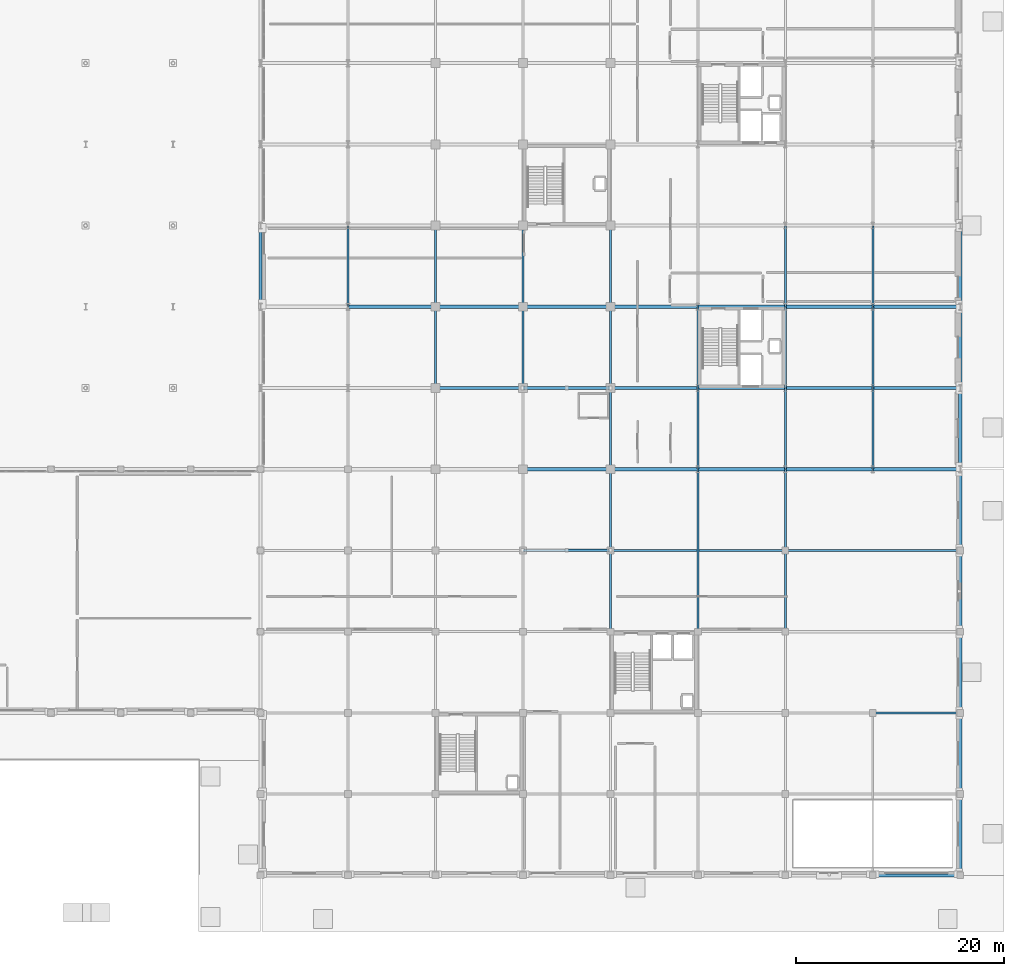
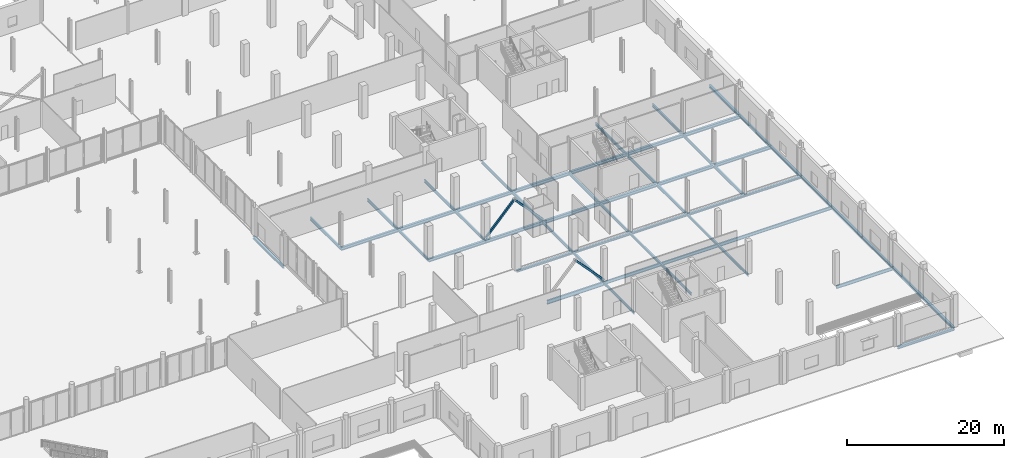
# One storey, part 37 of 80: 53 beams, 3 members.
"""IFC4 building model written with IfcOpenShell, lengths in metres."""

from ifc_helpers import new_model, si_unit, direction, frame, origin, origin_2d, place, context, subcontext, project, spatial, hollow_rectangle, i_section, extrude, material, material_profile, profile_set, type_object, element, save


model = new_model("IFC4")

# Units and contexts
model_context = context("Model", 3, precision=1e-05, world=origin(), true_north=direction((0.0, 1.0)))
body_context = subcontext(model_context, "Body", "Model", "MODEL_VIEW")
ifc_project = project(units=[si_unit("LENGTHUNIT", "METRE"), si_unit("AREAUNIT", "SQUARE_METRE"), si_unit("VOLUMEUNIT", "CUBIC_METRE"), si_unit("PLANEANGLEUNIT", "RADIAN"), si_unit("MASSUNIT", "GRAM", prefix="KILO")], contexts=[model_context])

# Site, building, storey
site_placement = place(None, origin())
site = spatial("IfcSite", under=ifc_project, at=site_placement, CompositionType="ELEMENT")
building_placement = place(site_placement, origin())
building = spatial("IfcBuilding", under=site, at=building_placement, Name="Nabrawat Pavilion Hospital", CompositionType="ELEMENT")
storey_placement = place(building_placement, origin())
storey = spatial("IfcBuildingStorey", under=building, at=storey_placement, Name="L00", CompositionType="ELEMENT", Elevation=0.0)

# Members
ifc_material = material(Name="Steel S355", Category="steel")
ifc_material_profile_1 = material_profile(ifc_material, hollow_rectangle(XDim=0.25, YDim=0.25, WallThickness=0.012451171875, at=origin_2d()), Name="SHS 250x250x12.5")
ifc_profile_set_1 = profile_set([ifc_material_profile_1], Name="Steel S355")
member_type = type_object("IfcMemberType", Name="Lower Seismic Chevron Brace SHS 250x250x12.5", PredefinedType="BRACE", material=ifc_profile_set_1)
for number, where, z_axis, x_axis, name in (
    (1, (159.60009765625, 31.199951171875, 0.050048828125), (-0.682335207557, 0.0, 0.731039441158), (0.0, -1.0, 0.0), "L00 Seismic Concentric Chevron Brace 038"),
    (2, (151.199951171875, 46.800048828125, 0.050048828125), (0.682314010889, 0.0, 0.73105922506), (0.0, 1.0, 0.0), "L00 Seismic Concentric Chevron Brace 049"),
    (3, (159.60009765625, 46.800048828125, 0.050048828125), (-0.682335207557, 0.0, 0.731039441158), (0.0, -1.0, 0.0), "L00 Seismic Concentric Chevron Brace 050"),
):
    element("IfcMember", number, at=place(storey_placement, frame(where, z_axis=z_axis, x_axis=x_axis)), inside=storey, type_object=member_type, Name=name, PredefinedType="BRACE", context=body_context, shape_type="SweptSolid", body=[
        extrude(hollow_rectangle(XDim=0.25, YDim=0.25, WallThickness=0.012451171875, at=origin_2d()), origin(), (0.0, 0.0, 1.0), 6.155517578125),
    ])

# Beams
ifc_material_profile_2 = material_profile(ifc_material, i_section(OverallWidth=0.300048828125, OverallDepth=0.389892578125, WebThickness=0.010986328125, FlangeThickness=0.01904296875, FilletRadius=0.027099609375, at=origin_2d()), Name="HEA 400")
ifc_profile_set_2 = profile_set([ifc_material_profile_2], Name="Steel S355")
beam_type_1 = type_object("IfcBeamType", Name="Perimeter Moment Spandrel Beam HEA 400", PredefinedType="SPANDREL", material=ifc_profile_set_2)
beam_1_placement = place(storey_placement, frame((184.820068359375, 0.0, -0.425048828125), z_axis=(1.0, 0.0, 0.0), x_axis=(0.0, 1.0, 0.0)))
element("IfcBeam", 4, at=beam_1_placement, inside=storey, type_object=beam_type_1, Name="L00 Primary X Girder 15", PredefinedType="SPANDREL", context=body_context, shape_type="SweptSolid", body=[
    extrude(i_section(OverallWidth=0.300048828125, OverallDepth=0.389892578125, WebThickness=0.010986328125, FlangeThickness=0.01904296875, FilletRadius=0.027099609375, at=origin_2d()), origin(), (0.0, 0.0, 1.0), 8.35986328125),
])
beam_2_placement = place(storey_placement, frame((126.0, 54.6201171875, -0.445068359375), z_axis=(0.0, 1.0, 0.0), x_axis=(-1.0, 0.0, 0.0)))
element("IfcBeam", 5, at=beam_2_placement, inside=storey, type_object=beam_type_1, Name="L00 Primary Y Beam 327", PredefinedType="SPANDREL", context=body_context, shape_type="SweptSolid", body=[
    extrude(i_section(OverallWidth=0.300048828125, OverallDepth=0.389892578125, WebThickness=0.010986328125, FlangeThickness=0.01904296875, FilletRadius=0.027099609375, at=origin_2d()), origin(), (0.0, 0.0, 1.0), 7.759765625),
])
for number, where, z_axis, x_axis, name in (
    (6, (193.199951171875, 0.02001953125, -0.425048828125), (0.0, 1.0, 0.0), (-1.0, 0.0, 0.0), "L00 Primary Y Beam 433"),
    (7, (193.199951171875, 7.820068359375, -0.425048828125), (0.0, 1.0, 0.0), (-1.0, 0.0, 0.0), "L00 Primary Y Beam 434"),
):
    element("IfcBeam", number, at=place(storey_placement, frame(where, z_axis=z_axis, x_axis=x_axis)), inside=storey, type_object=beam_type_1, Name=name, PredefinedType="SPANDREL", context=body_context, shape_type="SweptSolid", body=[
        extrude(i_section(OverallWidth=0.300048828125, OverallDepth=0.389892578125, WebThickness=0.010986328125, FlangeThickness=0.01904296875, FilletRadius=0.027099609375, at=origin_2d()), origin(), (0.0, 0.0, 1.0), 7.760009765625),
    ])
beam_3_placement = place(storey_placement, frame((193.199951171875, 15.6201171875, -0.425048828125), z_axis=(0.0, 1.0, 0.0), x_axis=(-1.0, 0.0, 0.0)))
element("IfcBeam", 8, at=beam_3_placement, inside=storey, type_object=beam_type_1, Name="L00 Primary Y Beam 435", PredefinedType="SPANDREL", context=body_context, shape_type="SweptSolid", body=[
    extrude(i_section(OverallWidth=0.300048828125, OverallDepth=0.389892578125, WebThickness=0.010986328125, FlangeThickness=0.01904296875, FilletRadius=0.027099609375, at=origin_2d()), origin(), (0.0, 0.0, 1.0), 7.759765625),
])
for number, where, z_axis, x_axis, name in (
    (9, (193.199951171875, 23.419921875, -0.425048828125), (0.0, 1.0, 0.0), (-1.0, 0.0, 0.0), "L00 Primary Y Beam 436"),
    (10, (193.199951171875, 31.219970703125, -0.425048828125), (0.0, 1.0, 0.0), (-1.0, 0.0, 0.0), "L00 Primary Y Beam 437"),
    (11, (193.199951171875, 39.02001953125, -0.445068359375), (0.0, 1.0, 0.0), (-1.0, 0.0, 0.0), "L00 Primary Y Beam 438"),
    (12, (193.199951171875, 46.820068359375, -0.445068359375), (0.0, 1.0, 0.0), (-1.0, 0.0, 0.0), "L00 Primary Y Beam 439"),
):
    element("IfcBeam", number, at=place(storey_placement, frame(where, z_axis=z_axis, x_axis=x_axis)), inside=storey, type_object=beam_type_1, Name=name, PredefinedType="SPANDREL", context=body_context, shape_type="SweptSolid", body=[
        extrude(i_section(OverallWidth=0.300048828125, OverallDepth=0.389892578125, WebThickness=0.010986328125, FlangeThickness=0.01904296875, FilletRadius=0.027099609375, at=origin_2d()), origin(), (0.0, 0.0, 1.0), 7.760009765625),
    ])
beam_4_placement = place(storey_placement, frame((193.199951171875, 54.6201171875, -0.445068359375), z_axis=(0.0, 1.0, 0.0), x_axis=(-1.0, 0.0, 0.0)))
element("IfcBeam", 13, at=beam_4_placement, inside=storey, type_object=beam_type_1, Name="L00 Primary Y Beam 440", PredefinedType="SPANDREL", context=body_context, shape_type="SweptSolid", body=[
    extrude(i_section(OverallWidth=0.300048828125, OverallDepth=0.389892578125, WebThickness=0.010986328125, FlangeThickness=0.01904296875, FilletRadius=0.027099609375, at=origin_2d()), origin(), (0.0, 0.0, 1.0), 7.759765625),
])
ifc_material_profile_3 = material_profile(ifc_material, i_section(OverallWidth=0.300048828125, OverallDepth=0.5, WebThickness=0.014404296875, FlangeThickness=0.028076171875, FilletRadius=0.027099609375, at=origin_2d()), Name="HEB 500")
ifc_profile_set_3 = profile_set([ifc_material_profile_3], Name="Steel S355")
beam_type_2 = type_object("IfcBeamType", Name="Primary Floor Girder HEB 500", PredefinedType="USERDEFINED", material=ifc_profile_set_3)
beam_5_placement = place(storey_placement, frame((142.820068359375, 46.800048828125, -0.5), z_axis=(1.0, 0.0, 0.0), x_axis=(0.0, 1.0, 0.0)))
element("IfcBeam", 14, at=beam_5_placement, inside=storey, type_object=beam_type_2, Name="L00 Primary X Girder 92", ObjectType="GIRDER", PredefinedType="USERDEFINED", context=body_context, shape_type="SweptSolid", body=[
    extrude(i_section(OverallWidth=0.300048828125, OverallDepth=0.5, WebThickness=0.014404296875, FlangeThickness=0.028076171875, FilletRadius=0.027099609375, at=origin_2d()), origin(), (0.0, 0.0, 1.0), 8.35986328125),
])
beam_6_placement = place(storey_placement, frame((151.219970703125, 46.800048828125, -0.5), z_axis=(1.0, 0.0, 0.0), x_axis=(0.0, 1.0, 0.0)))
element("IfcBeam", 15, at=beam_6_placement, inside=storey, type_object=beam_type_2, Name="L00 Primary X Girder 93", ObjectType="GIRDER", PredefinedType="USERDEFINED", context=body_context, shape_type="SweptSolid", body=[
    extrude(i_section(OverallWidth=0.300048828125, OverallDepth=0.5, WebThickness=0.014404296875, FlangeThickness=0.028076171875, FilletRadius=0.027099609375, at=origin_2d()), origin(), (0.0, 0.0, 1.0), 8.360107421875),
])
for number, where, z_axis, x_axis, name in (
    (16, (159.6201171875, 46.800048828125, -0.5), (1.0, 0.0, 0.0), (0.0, 1.0, 0.0), "L00 Primary X Girder 94"),
    (17, (168.02001953125, 46.800048828125, -0.5), (1.0, 0.0, 0.0), (0.0, 1.0, 0.0), "L00 Primary X Girder 95"),
):
    element("IfcBeam", number, at=place(storey_placement, frame(where, z_axis=z_axis, x_axis=x_axis)), inside=storey, type_object=beam_type_2, Name=name, ObjectType="GIRDER", PredefinedType="USERDEFINED", context=body_context, shape_type="SweptSolid", body=[
        extrude(i_section(OverallWidth=0.300048828125, OverallDepth=0.5, WebThickness=0.014404296875, FlangeThickness=0.028076171875, FilletRadius=0.027099609375, at=origin_2d()), origin(), (0.0, 0.0, 1.0), 8.35986328125),
    ])
beam_7_placement = place(storey_placement, frame((176.419921875, 46.800048828125, -0.5), z_axis=(1.0, 0.0, 0.0), x_axis=(0.0, 1.0, 0.0)))
element("IfcBeam", 18, at=beam_7_placement, inside=storey, type_object=beam_type_2, Name="L00 Primary X Girder 96", ObjectType="GIRDER", PredefinedType="USERDEFINED", context=body_context, shape_type="SweptSolid", body=[
    extrude(i_section(OverallWidth=0.300048828125, OverallDepth=0.5, WebThickness=0.014404296875, FlangeThickness=0.028076171875, FilletRadius=0.027099609375, at=origin_2d()), origin(), (0.0, 0.0, 1.0), 8.360107421875),
])
beam_8_placement = place(storey_placement, frame((184.820068359375, 46.800048828125, -0.5), z_axis=(1.0, 0.0, 0.0), x_axis=(0.0, 1.0, 0.0)))
element("IfcBeam", 19, at=beam_8_placement, inside=storey, type_object=beam_type_2, Name="L00 Primary X Girder 97", ObjectType="GIRDER", PredefinedType="USERDEFINED", context=body_context, shape_type="SweptSolid", body=[
    extrude(i_section(OverallWidth=0.300048828125, OverallDepth=0.5, WebThickness=0.014404296875, FlangeThickness=0.028076171875, FilletRadius=0.027099609375, at=origin_2d()), origin(), (0.0, 0.0, 1.0), 8.35986328125),
])
beam_9_placement = place(storey_placement, frame((134.419921875, 54.60009765625, -0.5), z_axis=(1.0, 0.0, 0.0), x_axis=(0.0, 1.0, 0.0)))
element("IfcBeam", 20, at=beam_9_placement, inside=storey, type_object=beam_type_2, Name="L00 Primary X Girder 103", ObjectType="GIRDER", PredefinedType="USERDEFINED", context=body_context, shape_type="SweptSolid", body=[
    extrude(i_section(OverallWidth=0.300048828125, OverallDepth=0.5, WebThickness=0.014404296875, FlangeThickness=0.028076171875, FilletRadius=0.027099609375, at=origin_2d()), origin(), (0.0, 0.0, 1.0), 8.360107421875),
])
beam_10_placement = place(storey_placement, frame((142.820068359375, 54.60009765625, -0.5), z_axis=(1.0, 0.0, 0.0), x_axis=(0.0, 1.0, 0.0)))
element("IfcBeam", 21, at=beam_10_placement, inside=storey, type_object=beam_type_2, Name="L00 Primary X Girder 104", ObjectType="GIRDER", PredefinedType="USERDEFINED", context=body_context, shape_type="SweptSolid", body=[
    extrude(i_section(OverallWidth=0.300048828125, OverallDepth=0.5, WebThickness=0.014404296875, FlangeThickness=0.028076171875, FilletRadius=0.027099609375, at=origin_2d()), origin(), (0.0, 0.0, 1.0), 8.35986328125),
])
beam_11_placement = place(storey_placement, frame((151.219970703125, 54.60009765625, -0.5), z_axis=(1.0, 0.0, 0.0), x_axis=(0.0, 1.0, 0.0)))
element("IfcBeam", 22, at=beam_11_placement, inside=storey, type_object=beam_type_2, Name="L00 Primary X Girder 105", ObjectType="GIRDER", PredefinedType="USERDEFINED", context=body_context, shape_type="SweptSolid", body=[
    extrude(i_section(OverallWidth=0.300048828125, OverallDepth=0.5, WebThickness=0.014404296875, FlangeThickness=0.028076171875, FilletRadius=0.027099609375, at=origin_2d()), origin(), (0.0, 0.0, 1.0), 8.360107421875),
])
for number, where, z_axis, x_axis, name in (
    (23, (159.6201171875, 54.60009765625, -0.5), (1.0, 0.0, 0.0), (0.0, 1.0, 0.0), "L00 Primary X Girder 106"),
    (24, (168.02001953125, 54.60009765625, -0.5), (1.0, 0.0, 0.0), (0.0, 1.0, 0.0), "L00 Primary X Girder 107"),
):
    element("IfcBeam", number, at=place(storey_placement, frame(where, z_axis=z_axis, x_axis=x_axis)), inside=storey, type_object=beam_type_2, Name=name, ObjectType="GIRDER", PredefinedType="USERDEFINED", context=body_context, shape_type="SweptSolid", body=[
        extrude(i_section(OverallWidth=0.300048828125, OverallDepth=0.5, WebThickness=0.014404296875, FlangeThickness=0.028076171875, FilletRadius=0.027099609375, at=origin_2d()), origin(), (0.0, 0.0, 1.0), 8.35986328125),
    ])
beam_12_placement = place(storey_placement, frame((176.419921875, 54.60009765625, -0.5), z_axis=(1.0, 0.0, 0.0), x_axis=(0.0, 1.0, 0.0)))
element("IfcBeam", 25, at=beam_12_placement, inside=storey, type_object=beam_type_2, Name="L00 Primary X Girder 108", ObjectType="GIRDER", PredefinedType="USERDEFINED", context=body_context, shape_type="SweptSolid", body=[
    extrude(i_section(OverallWidth=0.300048828125, OverallDepth=0.5, WebThickness=0.014404296875, FlangeThickness=0.028076171875, FilletRadius=0.027099609375, at=origin_2d()), origin(), (0.0, 0.0, 1.0), 8.360107421875),
])
beam_13_placement = place(storey_placement, frame((184.820068359375, 54.60009765625, -0.5), z_axis=(1.0, 0.0, 0.0), x_axis=(0.0, 1.0, 0.0)))
element("IfcBeam", 26, at=beam_13_placement, inside=storey, type_object=beam_type_2, Name="L00 Primary X Girder 109", ObjectType="GIRDER", PredefinedType="USERDEFINED", context=body_context, shape_type="SweptSolid", body=[
    extrude(i_section(OverallWidth=0.300048828125, OverallDepth=0.5, WebThickness=0.014404296875, FlangeThickness=0.028076171875, FilletRadius=0.027099609375, at=origin_2d()), origin(), (0.0, 0.0, 1.0), 8.35986328125),
])
ifc_material_profile_4 = material_profile(ifc_material, i_section(OverallWidth=0.18994140625, OverallDepth=0.449951171875, WebThickness=0.009521484375, FlangeThickness=0.0146484375, FilletRadius=0.02099609375, at=origin_2d()), Name="IPE 450")
ifc_profile_set_4 = profile_set([ifc_material_profile_4], Name="Steel S355")
beam_type_3 = type_object("IfcBeamType", Name="Primary Y Floor Beam IPE 450", PredefinedType="BEAM", material=ifc_profile_set_4)
beam_14_placement = place(storey_placement, frame((134.39990234375, 54.6201171875, -0.47509765625), z_axis=(0.0, 1.0, 0.0), x_axis=(-1.0, 0.0, 0.0)))
element("IfcBeam", 27, at=beam_14_placement, inside=storey, type_object=beam_type_3, Name="L00 Primary Y Beam 343", PredefinedType="BEAM", context=body_context, shape_type="SweptSolid", body=[
    extrude(i_section(OverallWidth=0.18994140625, OverallDepth=0.449951171875, WebThickness=0.009521484375, FlangeThickness=0.0146484375, FilletRadius=0.02099609375, at=origin_2d()), origin(), (0.0, 0.0, 1.0), 7.759765625),
])
beam_15_placement = place(storey_placement, frame((142.800048828125, 46.820068359375, -0.47509765625), z_axis=(0.0, 1.0, 0.0), x_axis=(-1.0, 0.0, 0.0)))
element("IfcBeam", 28, at=beam_15_placement, inside=storey, type_object=beam_type_3, Name="L00 Primary Y Beam 358", PredefinedType="BEAM", context=body_context, shape_type="SweptSolid", body=[
    extrude(i_section(OverallWidth=0.18994140625, OverallDepth=0.449951171875, WebThickness=0.009521484375, FlangeThickness=0.0146484375, FilletRadius=0.02099609375, at=origin_2d()), origin(), (0.0, 0.0, 1.0), 7.760009765625),
])
beam_16_placement = place(storey_placement, frame((142.800048828125, 54.6201171875, -0.47509765625), z_axis=(0.0, 1.0, 0.0), x_axis=(-1.0, 0.0, 0.0)))
element("IfcBeam", 29, at=beam_16_placement, inside=storey, type_object=beam_type_3, Name="L00 Primary Y Beam 359", PredefinedType="BEAM", context=body_context, shape_type="SweptSolid", body=[
    extrude(i_section(OverallWidth=0.18994140625, OverallDepth=0.449951171875, WebThickness=0.009521484375, FlangeThickness=0.0146484375, FilletRadius=0.02099609375, at=origin_2d()), origin(), (0.0, 0.0, 1.0), 7.759765625),
])
beam_17_placement = place(storey_placement, frame((151.199951171875, 46.820068359375, -0.47509765625), z_axis=(0.0, 1.0, 0.0), x_axis=(-1.0, 0.0, 0.0)))
element("IfcBeam", 30, at=beam_17_placement, inside=storey, type_object=beam_type_3, Name="L00 Primary Y Beam 374", PredefinedType="BEAM", context=body_context, shape_type="SweptSolid", body=[
    extrude(i_section(OverallWidth=0.18994140625, OverallDepth=0.449951171875, WebThickness=0.009521484375, FlangeThickness=0.0146484375, FilletRadius=0.02099609375, at=origin_2d()), origin(), (0.0, 0.0, 1.0), 7.760009765625),
])
beam_18_placement = place(storey_placement, frame((151.199951171875, 54.6201171875, -0.47509765625), z_axis=(0.0, 1.0, 0.0), x_axis=(-1.0, 0.0, 0.0)))
element("IfcBeam", 31, at=beam_18_placement, inside=storey, type_object=beam_type_3, Name="L00 Primary Y Beam 375", PredefinedType="BEAM", context=body_context, shape_type="SweptSolid", body=[
    extrude(i_section(OverallWidth=0.18994140625, OverallDepth=0.449951171875, WebThickness=0.009521484375, FlangeThickness=0.0146484375, FilletRadius=0.02099609375, at=origin_2d()), origin(), (0.0, 0.0, 1.0), 7.759765625),
])
for number, where, z_axis, x_axis, name in (
    (32, (159.60009765625, 39.02001953125, -0.47509765625), (0.0, 1.0, 0.0), (-1.0, 0.0, 0.0), "L00 Primary Y Beam 389"),
    (33, (159.60009765625, 46.820068359375, -0.47509765625), (0.0, 1.0, 0.0), (-1.0, 0.0, 0.0), "L00 Primary Y Beam 390"),
):
    element("IfcBeam", number, at=place(storey_placement, frame(where, z_axis=z_axis, x_axis=x_axis)), inside=storey, type_object=beam_type_3, Name=name, PredefinedType="BEAM", context=body_context, shape_type="SweptSolid", body=[
        extrude(i_section(OverallWidth=0.18994140625, OverallDepth=0.449951171875, WebThickness=0.009521484375, FlangeThickness=0.0146484375, FilletRadius=0.02099609375, at=origin_2d()), origin(), (0.0, 0.0, 1.0), 7.760009765625),
    ])
beam_19_placement = place(storey_placement, frame((159.60009765625, 54.6201171875, -0.47509765625), z_axis=(0.0, 1.0, 0.0), x_axis=(-1.0, 0.0, 0.0)))
element("IfcBeam", 34, at=beam_19_placement, inside=storey, type_object=beam_type_3, Name="L00 Primary Y Beam 391", PredefinedType="BEAM", context=body_context, shape_type="SweptSolid", body=[
    extrude(i_section(OverallWidth=0.18994140625, OverallDepth=0.449951171875, WebThickness=0.009521484375, FlangeThickness=0.0146484375, FilletRadius=0.02099609375, at=origin_2d()), origin(), (0.0, 0.0, 1.0), 7.759765625),
])
for number, where, z_axis, x_axis, name in (
    (35, (168.0, 39.02001953125, -0.47509765625), (0.0, 1.0, 0.0), (-1.0, 0.0, 0.0), "L00 Primary Y Beam 403"),
    (36, (168.0, 46.820068359375, -0.47509765625), (0.0, 1.0, 0.0), (-1.0, 0.0, 0.0), "L00 Primary Y Beam 404"),
    (37, (176.39990234375, 39.02001953125, -0.47509765625), (0.0, 1.0, 0.0), (-1.0, 0.0, 0.0), "L00 Primary Y Beam 414"),
    (38, (176.39990234375, 46.820068359375, -0.47509765625), (0.0, 1.0, 0.0), (-1.0, 0.0, 0.0), "L00 Primary Y Beam 415"),
):
    element("IfcBeam", number, at=place(storey_placement, frame(where, z_axis=z_axis, x_axis=x_axis)), inside=storey, type_object=beam_type_3, Name=name, PredefinedType="BEAM", context=body_context, shape_type="SweptSolid", body=[
        extrude(i_section(OverallWidth=0.18994140625, OverallDepth=0.449951171875, WebThickness=0.009521484375, FlangeThickness=0.0146484375, FilletRadius=0.02099609375, at=origin_2d()), origin(), (0.0, 0.0, 1.0), 7.760009765625),
    ])
beam_20_placement = place(storey_placement, frame((176.39990234375, 54.6201171875, -0.47509765625), z_axis=(0.0, 1.0, 0.0), x_axis=(-1.0, 0.0, 0.0)))
element("IfcBeam", 39, at=beam_20_placement, inside=storey, type_object=beam_type_3, Name="L00 Primary Y Beam 416", PredefinedType="BEAM", context=body_context, shape_type="SweptSolid", body=[
    extrude(i_section(OverallWidth=0.18994140625, OverallDepth=0.449951171875, WebThickness=0.009521484375, FlangeThickness=0.0146484375, FilletRadius=0.02099609375, at=origin_2d()), origin(), (0.0, 0.0, 1.0), 7.759765625),
])
for number, where, z_axis, x_axis, name in (
    (40, (184.800048828125, 39.02001953125, -0.47509765625), (0.0, 1.0, 0.0), (-1.0, 0.0, 0.0), "L00 Primary Y Beam 426"),
    (41, (184.800048828125, 46.820068359375, -0.47509765625), (0.0, 1.0, 0.0), (-1.0, 0.0, 0.0), "L00 Primary Y Beam 427"),
):
    element("IfcBeam", number, at=place(storey_placement, frame(where, z_axis=z_axis, x_axis=x_axis)), inside=storey, type_object=beam_type_3, Name=name, PredefinedType="BEAM", context=body_context, shape_type="SweptSolid", body=[
        extrude(i_section(OverallWidth=0.18994140625, OverallDepth=0.449951171875, WebThickness=0.009521484375, FlangeThickness=0.0146484375, FilletRadius=0.02099609375, at=origin_2d()), origin(), (0.0, 0.0, 1.0), 7.760009765625),
    ])
beam_21_placement = place(storey_placement, frame((184.800048828125, 54.6201171875, -0.47509765625), z_axis=(0.0, 1.0, 0.0), x_axis=(-1.0, 0.0, 0.0)))
element("IfcBeam", 42, at=beam_21_placement, inside=storey, type_object=beam_type_3, Name="L00 Primary Y Beam 428", PredefinedType="BEAM", context=body_context, shape_type="SweptSolid", body=[
    extrude(i_section(OverallWidth=0.18994140625, OverallDepth=0.449951171875, WebThickness=0.009521484375, FlangeThickness=0.0146484375, FilletRadius=0.02099609375, at=origin_2d()), origin(), (0.0, 0.0, 1.0), 7.759765625),
])
ifc_material_profile_5 = material_profile(ifc_material, i_section(OverallWidth=0.199951171875, OverallDepth=0.5, WebThickness=0.01025390625, FlangeThickness=0.01611328125, FilletRadius=0.02099609375, at=origin_2d()), Name="IPE 500")
ifc_profile_set_5 = profile_set([ifc_material_profile_5], Name="Steel S355")
beam_type_4 = type_object("IfcBeamType", Name="Standard X Floor Girder IPE 500", PredefinedType="USERDEFINED", material=ifc_profile_set_5)
beam_22_placement = place(storey_placement, frame((184.820068359375, 15.60009765625, -0.47998046875), z_axis=(1.0, 0.0, 0.0), x_axis=(0.0, 1.0, 0.0)))
element("IfcBeam", 43, at=beam_22_placement, inside=storey, type_object=beam_type_4, Name="L00 Primary X Girder 44", ObjectType="GIRDER", PredefinedType="USERDEFINED", context=body_context, shape_type="SweptSolid", body=[
    extrude(i_section(OverallWidth=0.199951171875, OverallDepth=0.5, WebThickness=0.01025390625, FlangeThickness=0.01611328125, FilletRadius=0.02099609375, at=origin_2d()), origin(), (0.0, 0.0, 1.0), 8.35986328125),
])
beam_23_placement = place(storey_placement, frame((159.6201171875, 31.199951171875, -0.47998046875), z_axis=(1.0, 0.0, 0.0), x_axis=(0.0, 1.0, 0.0)))
element("IfcBeam", 44, at=beam_23_placement, inside=storey, type_object=beam_type_4, Name="L00 Primary X Girder 61", ObjectType="GIRDER", PredefinedType="USERDEFINED", context=body_context, shape_type="SweptSolid", body=[
    extrude(i_section(OverallWidth=0.199951171875, OverallDepth=0.5, WebThickness=0.01025390625, FlangeThickness=0.01611328125, FilletRadius=0.02099609375, at=origin_2d()), origin(), (0.0, 0.0, 1.0), 16.759765625),
])
beam_24_placement = place(storey_placement, frame((176.419921875, 31.199951171875, -0.47998046875), z_axis=(1.0, 0.0, 0.0), x_axis=(0.0, 1.0, 0.0)))
element("IfcBeam", 45, at=beam_24_placement, inside=storey, type_object=beam_type_4, Name="L00 Primary X Girder 62", ObjectType="GIRDER", PredefinedType="USERDEFINED", context=body_context, shape_type="SweptSolid", body=[
    extrude(i_section(OverallWidth=0.199951171875, OverallDepth=0.5, WebThickness=0.01025390625, FlangeThickness=0.01611328125, FilletRadius=0.02099609375, at=origin_2d()), origin(), (0.0, 0.0, 1.0), 16.760009765625),
])
ifc_material_profile_6 = material_profile(ifc_material, i_section(OverallWidth=0.179931640625, OverallDepth=0.39990234375, WebThickness=0.008544921875, FlangeThickness=0.013427734375, FilletRadius=0.02099609375, at=origin_2d()), Name="IPE 400")
ifc_profile_set_6 = profile_set([ifc_material_profile_6], Name="Steel S355")
beam_type_5 = type_object("IfcBeamType", Name="Standard Y Floor Beam IPE 400", PredefinedType="BEAM", material=ifc_profile_set_6)
for number, where, z_axis, x_axis, name in (
    (46, (159.60009765625, 23.419921875, -0.429931640625), (0.0, 1.0, 0.0), (-1.0, 0.0, 0.0), "L00 Primary Y Beam 387"),
    (47, (159.60009765625, 31.219970703125, -0.429931640625), (0.0, 1.0, 0.0), (-1.0, 0.0, 0.0), "L00 Primary Y Beam 388"),
):
    element("IfcBeam", number, at=place(storey_placement, frame(where, z_axis=z_axis, x_axis=x_axis)), inside=storey, type_object=beam_type_5, Name=name, PredefinedType="BEAM", context=body_context, shape_type="SweptSolid", body=[
        extrude(i_section(OverallWidth=0.179931640625, OverallDepth=0.39990234375, WebThickness=0.008544921875, FlangeThickness=0.013427734375, FilletRadius=0.02099609375, at=origin_2d()), origin(), (0.0, 0.0, 1.0), 7.760009765625),
    ])
beam_25_placement = place(storey_placement, frame((168.0, 23.419921875, -0.429931640625), z_axis=(0.0, 1.0, 0.0), x_axis=(-1.0, 0.0, 0.0)))
element("IfcBeam", 48, at=beam_25_placement, inside=storey, type_object=beam_type_5, Name="L00 Primary Y Beam 402", PredefinedType="BEAM", context=body_context, shape_type="SweptSolid", body=[
    extrude(i_section(OverallWidth=0.179931640625, OverallDepth=0.39990234375, WebThickness=0.008544921875, FlangeThickness=0.013427734375, FilletRadius=0.02099609375, at=origin_2d()), origin(), (0.0, 0.0, 1.0), 15.56005859375),
])
for number, where, z_axis, x_axis, name in (
    (49, (176.39990234375, 23.419921875, -0.429931640625), (0.0, 1.0, 0.0), (-1.0, 0.0, 0.0), "L00 Primary Y Beam 412"),
    (50, (176.39990234375, 31.219970703125, -0.429931640625), (0.0, 1.0, 0.0), (-1.0, 0.0, 0.0), "L00 Primary Y Beam 413"),
):
    element("IfcBeam", number, at=place(storey_placement, frame(where, z_axis=z_axis, x_axis=x_axis)), inside=storey, type_object=beam_type_5, Name=name, PredefinedType="BEAM", context=body_context, shape_type="SweptSolid", body=[
        extrude(i_section(OverallWidth=0.179931640625, OverallDepth=0.39990234375, WebThickness=0.008544921875, FlangeThickness=0.013427734375, FilletRadius=0.02099609375, at=origin_2d()), origin(), (0.0, 0.0, 1.0), 7.760009765625),
    ])
ifc_material_profile_7 = material_profile(ifc_material, i_section(OverallWidth=0.300048828125, OverallDepth=0.340087890625, WebThickness=0.011962890625, FlangeThickness=0.021484375, FilletRadius=0.027099609375, at=origin_2d()), Name="HEB 340")
ifc_profile_set_7 = profile_set([ifc_material_profile_7], Name="Steel S355")
beam_type_6 = type_object("IfcBeamType", Name="Ward Perimeter Spandrel Beam HEB 340", PredefinedType="SPANDREL", material=ifc_profile_set_7)
beam_26_placement = place(storey_placement, frame((151.219970703125, 39.0, -0.419921875), z_axis=(1.0, 0.0, 0.0), x_axis=(0.0, 1.0, 0.0)))
element("IfcBeam", 51, at=beam_26_placement, inside=storey, type_object=beam_type_6, Name="L00 Primary X Girder 83", PredefinedType="SPANDREL", context=body_context, shape_type="SweptSolid", body=[
    extrude(i_section(OverallWidth=0.300048828125, OverallDepth=0.340087890625, WebThickness=0.011962890625, FlangeThickness=0.021484375, FilletRadius=0.027099609375, at=origin_2d()), origin(), (0.0, 0.0, 1.0), 8.360107421875),
])
for number, where, z_axis, x_axis, name in (
    (52, (159.6201171875, 39.0, -0.419921875), (1.0, 0.0, 0.0), (0.0, 1.0, 0.0), "L00 Primary X Girder 84"),
    (53, (168.02001953125, 39.0, -0.419921875), (1.0, 0.0, 0.0), (0.0, 1.0, 0.0), "L00 Primary X Girder 85"),
):
    element("IfcBeam", number, at=place(storey_placement, frame(where, z_axis=z_axis, x_axis=x_axis)), inside=storey, type_object=beam_type_6, Name=name, PredefinedType="SPANDREL", context=body_context, shape_type="SweptSolid", body=[
        extrude(i_section(OverallWidth=0.300048828125, OverallDepth=0.340087890625, WebThickness=0.011962890625, FlangeThickness=0.021484375, FilletRadius=0.027099609375, at=origin_2d()), origin(), (0.0, 0.0, 1.0), 8.35986328125),
    ])
beam_27_placement = place(storey_placement, frame((176.419921875, 39.0, -0.419921875), z_axis=(1.0, 0.0, 0.0), x_axis=(0.0, 1.0, 0.0)))
element("IfcBeam", 54, at=beam_27_placement, inside=storey, type_object=beam_type_6, Name="L00 Primary X Girder 86", PredefinedType="SPANDREL", context=body_context, shape_type="SweptSolid", body=[
    extrude(i_section(OverallWidth=0.300048828125, OverallDepth=0.340087890625, WebThickness=0.011962890625, FlangeThickness=0.021484375, FilletRadius=0.027099609375, at=origin_2d()), origin(), (0.0, 0.0, 1.0), 8.360107421875),
])
beam_28_placement = place(storey_placement, frame((184.820068359375, 39.0, -0.419921875), z_axis=(1.0, 0.0, 0.0), x_axis=(0.0, 1.0, 0.0)))
element("IfcBeam", 55, at=beam_28_placement, inside=storey, type_object=beam_type_6, Name="L00 Primary X Girder 87", PredefinedType="SPANDREL", context=body_context, shape_type="SweptSolid", body=[
    extrude(i_section(OverallWidth=0.300048828125, OverallDepth=0.340087890625, WebThickness=0.011962890625, FlangeThickness=0.021484375, FilletRadius=0.027099609375, at=origin_2d()), origin(), (0.0, 0.0, 1.0), 8.35986328125),
])
ifc_material_profile_8 = material_profile(ifc_material, i_section(OverallWidth=0.219970703125, OverallDepth=0.60009765625, WebThickness=0.011962890625, FlangeThickness=0.01904296875, FilletRadius=0.02392578125, at=origin_2d()), Name="IPE 600")
ifc_profile_set_8 = profile_set([ifc_material_profile_8], Name="Steel S355")
beam_type_7 = type_object("IfcBeamType", Name="Wide-Bay Floor Girder IPE 600", PredefinedType="USERDEFINED", material=ifc_profile_set_8)
beam_29_placement = place(storey_placement, frame((151.219970703125, 31.199951171875, -0.530029296875), z_axis=(1.0, 0.0, 0.0), x_axis=(0.0, 1.0, 0.0)))
element("IfcBeam", 56, at=beam_29_placement, inside=storey, type_object=beam_type_7, Name="L00 Primary X Girder 60", ObjectType="GIRDER", PredefinedType="USERDEFINED", context=body_context, shape_type="SweptSolid", body=[
    extrude(i_section(OverallWidth=0.219970703125, OverallDepth=0.60009765625, WebThickness=0.011962890625, FlangeThickness=0.01904296875, FilletRadius=0.02392578125, at=origin_2d()), origin(), (0.0, 0.0, 1.0), 8.360107421875),
])

save(model, "model.ifc")
